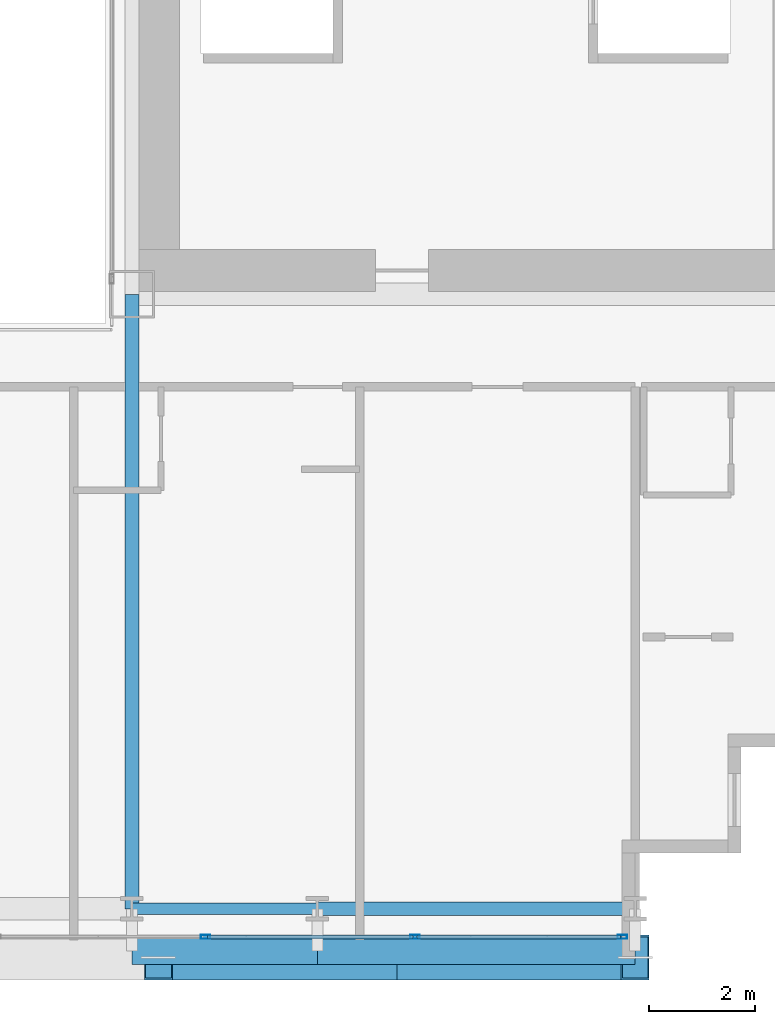
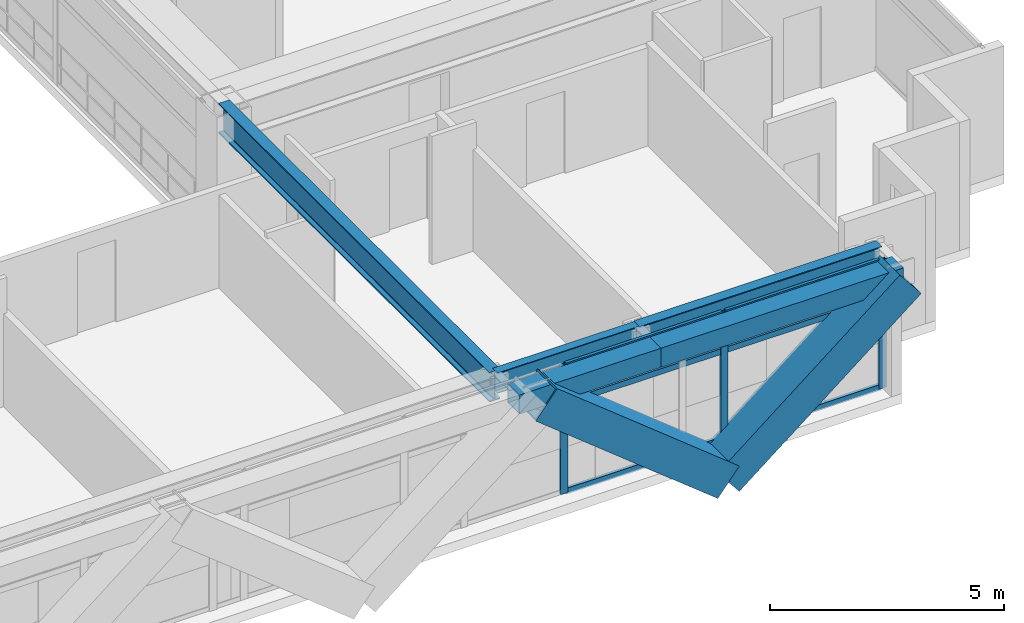
# One storey, part 11 of 41: 11 members, 5 beams, 1 element without a shape of its own.
"""IFC4 building model written with IfcOpenShell, lengths in metres."""

from ifc_helpers import new_model, si_unit, direction, frame, origin, origin_2d, place, context, subcontext, project, spatial, hollow_rectangle, i_section, extrude, source, transform, mapped, material, layer, layer_set, material_profile, profile_set, type_object, element, aggregate, save


model = new_model("IFC4")

# Units and contexts
model_context = context("Model", 3, precision=1e-05, world=origin(), true_north=direction((0.0, 1.0)))
body_context = subcontext(model_context, "Body", "Model", "MODEL_VIEW")
ifc_project = project(units=[si_unit("LENGTHUNIT", "METRE"), si_unit("AREAUNIT", "SQUARE_METRE"), si_unit("VOLUMEUNIT", "CUBIC_METRE"), si_unit("PLANEANGLEUNIT", "RADIAN"), si_unit("MASSUNIT", "GRAM", prefix="KILO")], contexts=[model_context])

# Site, building, storey
site_placement = place(None, origin())
site = spatial("IfcSite", under=ifc_project, at=site_placement, CompositionType="ELEMENT")
building_placement = place(site_placement, origin())
building = spatial("IfcBuilding", under=site, at=building_placement, Name="Ocotamira Hotel", CompositionType="ELEMENT")
storey_placement = place(building_placement, frame((0.0, 0.0, 52.800048828125)))
storey = spatial("IfcBuildingStorey", under=building, at=storey_placement, Name="L12", CompositionType="ELEMENT", Elevation=52.800048828125)

# Beams
ifc_material_1 = material(Name="Steel ASTM A992 Grade 50", Category="steel")
ifc_material_profile_1 = material_profile(ifc_material_1, i_section(OverallWidth=0.256103515625, OverallDepth=0.693115234375, WebThickness=0.014404296875, FlangeThickness=0.023681640625, FilletRadius=0.01611328125, at=origin_2d()), Name="W27X114")
ifc_profile_set_1 = profile_set([ifc_material_profile_1], Name="Steel ASTM A992 Grade 50")
beam_type_1 = type_object("IfcBeamType", Name="BM-PRIM-W27X114", PredefinedType="BEAM", material=ifc_profile_set_1)
shared_shape_1 = source(origin(), body_context, "Body", "SweptSolid", [
    extrude(i_section(OverallWidth=0.256103515625, OverallDepth=0.693115234375, WebThickness=0.014404296875, FlangeThickness=0.023681640625, FilletRadius=0.01611328125, at=origin_2d()), origin(), (0.0, 0.0, 1.0), 6.0),
])
beam_1_placement = place(storey_placement, frame((44.0, 2.949951171875, 3.00341796875), z_axis=(1.0, 0.0, 0.0), x_axis=(0.0, 1.0, 0.0)))
element("IfcBeam", 1, at=beam_1_placement, inside=storey, type_object=beam_type_1, Name="L12 Girder Y2.95 X44-50", PredefinedType="BEAM", context=body_context, shape_type="MappedRepresentation", body=[
    mapped(shared_shape_1, transform((0.0, 0.0, 0.0), scale=1.0)),
])
ifc_material_profile_2 = material_profile(ifc_material_1, i_section(OverallWidth=0.2099609375, OverallDepth=0.537109375, WebThickness=0.010986328125, FlangeThickness=0.017333984375, FilletRadius=0.012939453125, at=origin_2d()), Name="W21X68")
ifc_profile_set_2 = profile_set([ifc_material_profile_2], Name="Steel ASTM A992 Grade 50")
beam_type_2 = type_object("IfcBeamType", Name="BM-SEC-W21X68", PredefinedType="JOIST", material=ifc_profile_set_2)
shared_shape_2 = source(origin(), body_context, "Body", "SweptSolid", [
    extrude(i_section(OverallWidth=0.2099609375, OverallDepth=0.537109375, WebThickness=0.010986328125, FlangeThickness=0.017333984375, FilletRadius=0.012939453125, at=origin_2d()), origin(), (0.0, 0.0, 1.0), 3.5),
])
beam_2_placement = place(storey_placement, frame((40.5, 2.949951171875, 3.08154296875), z_axis=(1.0, 0.0, 0.0), x_axis=(0.0, 1.0, 0.0)))
element("IfcBeam", 2, at=beam_2_placement, inside=storey, type_object=beam_type_2, Name="L12 Girder Y2.95 X40.5-44", PredefinedType="JOIST", context=body_context, shape_type="MappedRepresentation", body=[
    mapped(shared_shape_2, transform((0.0, 0.0, 0.0), scale=1.0)),
])
ifc_material_profile_3 = material_profile(ifc_material_1, i_section(OverallWidth=0.26611328125, OverallDepth=0.779052734375, WebThickness=0.0166015625, FlangeThickness=0.030029296875, FilletRadius=0.01806640625, at=origin_2d()), Name="W30X148")
ifc_profile_set_3 = profile_set([ifc_material_profile_3], Name="Steel ASTM A992 Grade 50")
beam_type_3 = type_object("IfcBeamType", Name="BM-GIRD-W30X148", PredefinedType="BEAM", material=ifc_profile_set_3)
shared_shape_3 = source(origin(), body_context, "Body", "SweptSolid", [
    extrude(i_section(OverallWidth=0.26611328125, OverallDepth=0.779052734375, WebThickness=0.0166015625, FlangeThickness=0.030029296875, FilletRadius=0.01806640625, at=origin_2d()), origin(), (0.0, 0.0, 1.0), 11.60009765625),
])
beam_3_placement = place(storey_placement, frame((40.5, 2.949951171875, 2.96044921875), z_axis=(0.0, 1.0, 0.0), x_axis=(-1.0, 0.0, 0.0)))
element("IfcBeam", 3, at=beam_3_placement, inside=storey, type_object=beam_type_3, Name="L12 Beam X40.5 Y2.95-14.55", PredefinedType="BEAM", context=body_context, shape_type="MappedRepresentation", body=[
    mapped(shared_shape_3, transform((0.0, 0.0, 0.0), scale=1.0)),
])
ifc_material_2 = material(Name="Steel ASTM A500 Grade C", Category="steel")
ifc_material_profile_4 = material_profile(ifc_material_2, hollow_rectangle(XDim=0.5, YDim=0.5, WallThickness=0.02001953125, at=origin_2d()), Name="HSS500X500X20")
ifc_profile_set_4 = profile_set([ifc_material_profile_4], Name="Steel ASTM A500 Grade C")
beam_type_4 = type_object("IfcBeamType", Name="BM-SPAN-HSS500", PredefinedType="USERDEFINED", material=ifc_profile_set_4)
shared_shape_4 = source(origin(), body_context, "Body", "SweptSolid", [
    extrude(hollow_rectangle(XDim=0.5, YDim=0.5, WallThickness=0.02001953125, at=origin_2d()), origin(), (0.0, 0.0, 1.0), 6.0),
])
beam_4_placement = place(storey_placement, frame((44.0, 2.14990234375, 3.099853515625), z_axis=(1.0, 0.0, 0.0), x_axis=(0.0, 1.0, 0.0)))
element("IfcBeam", 4, at=beam_4_placement, inside=storey, type_object=beam_type_4, Name="L12 Edge Spandrel S X44-50", ObjectType="SPANDREL", PredefinedType="USERDEFINED", context=body_context, shape_type="MappedRepresentation", body=[
    mapped(shared_shape_4, transform((0.0, 0.0, 0.0), scale=1.0)),
])
shared_shape_5 = source(origin(), body_context, "Body", "SweptSolid", [
    extrude(hollow_rectangle(XDim=0.5, YDim=0.5, WallThickness=0.02001953125, at=origin_2d()), origin(), (0.0, 0.0, 1.0), 3.5),
])
beam_5_placement = place(storey_placement, frame((40.5, 2.14990234375, 3.099853515625), z_axis=(1.0, 0.0, 0.0), x_axis=(0.0, 1.0, 0.0)))
element("IfcBeam", 5, at=beam_5_placement, inside=storey, type_object=beam_type_4, Name="L12 Edge Spandrel S X40.5-44", ObjectType="SPANDREL", PredefinedType="USERDEFINED", context=body_context, shape_type="MappedRepresentation", body=[
    mapped(shared_shape_5, transform((0.0, 0.0, 0.0), scale=1.0)),
])

# Members
ifc_material_3 = material(Name="Pale-metal coated steel ASTM A913 Grade 65", Category="steel")
ifc_material_profile_5 = material_profile(ifc_material_3, hollow_rectangle(XDim=0.85009765625, YDim=0.85009765625, WallThickness=0.035888671875, at=origin_2d()), Name="BOX850X850X36")
ifc_profile_set_5 = profile_set([ifc_material_profile_5], Name="Pale-metal coated steel ASTM A913 Grade 65")
member_type_1 = type_object("IfcMemberType", Name="MEM-EXO-BOX850", PredefinedType="BRACE", material=ifc_profile_set_5)
shared_shape_6 = source(origin(), body_context, "Body", "SweptSolid", [
    extrude(hollow_rectangle(XDim=0.85009765625, YDim=0.85009765625, WallThickness=0.035888671875, at=origin_2d()), origin(), (0.0, 0.0, 1.0), 5.7626953125),
])
for number, where, z_axis, x_axis, name in (
    (6, (45.5, 2.030029296875, -0.5), (-0.780881208953, 0.0, 0.624679547852), (0.0, -1.0, 0.0), "L12 Exoskeleton Diagrid S3.1"),
    (7, (45.5, 2.030029296875, -0.5), (0.780881208953, 0.0, 0.624679547852), (0.0, 1.0, 0.0), "L12 Exoskeleton Diagrid S3.2"),
):
    element("IfcMember", number, at=place(storey_placement, frame(where, z_axis=z_axis, x_axis=x_axis)), inside=storey, type_object=member_type_1, Name=name, PredefinedType="BRACE", context=body_context, shape_type="MappedRepresentation", body=[
        mapped(shared_shape_6, transform((0.0, 0.0, 0.0), scale=1.0)),
    ])

# Curtain wall, members
ifc_material_4 = material(Name="Anodised pale-metal aluminium and solar glass", Category="aluminium")
ifc_layer = layer(ifc_material_4, 0.179931640625)
ifc_layer_set = layer_set([ifc_layer], Name="Anodised pale-metal aluminium and solar glass")
curtain_wall_type = type_object("IfcCurtainWallType", Name="CW-SYS2-Z1", PredefinedType="NOTDEFINED", material=ifc_layer_set)
curtain_wall_placement = place(storey_placement, origin())
curtain_wall = element("IfcCurtainWall", 8, at=curtain_wall_placement, inside=storey, type_object=curtain_wall_type, Name="L12 Curtain Wall CW-2 CW-L12-S1", PredefinedType="NOTDEFINED")
ifc_material_5 = material(Name="Anodised pale-metal aluminium 6063-T6", Category="aluminium")
ifc_material_profile_6 = material_profile(ifc_material_5, hollow_rectangle(XDim=0.080078125, YDim=0.179931640625, WallThickness=0.006103515625, at=origin_2d()), Name="HSS180X80X6")
ifc_profile_set_6 = profile_set([ifc_material_profile_6], Name="Anodised pale-metal aluminium 6063-T6")
member_type_2 = type_object("IfcMemberType", Name="CWM-180X75", PredefinedType="MULLION", material=ifc_profile_set_6)
shared_shape_7 = source(origin(), body_context, "Body", "SweptSolid", [
    extrude(hollow_rectangle(XDim=0.080078125, YDim=0.179931640625, WallThickness=0.006103515625, at=origin_2d()), origin(), (0.0, 0.0, 1.0), 3.349853515625),
])
member_1_placement = place(storey_placement, frame((41.888916015625, 2.419921875, 0.0), z_axis=(0.0, 0.0, 1.0), x_axis=(0.0, 1.0, 0.0)))
member_1 = element("IfcMember", 9, at=member_1_placement, type_object=member_type_2, Name="CW-2 mullion 8", PredefinedType="MULLION", context=body_context, shape_type="MappedRepresentation", body=[
    mapped(shared_shape_7, transform((0.0, 0.0, 0.0), scale=1.0)),
])
member_2_placement = place(storey_placement, frame((45.844482421875, 2.419921875, 0.0), z_axis=(0.0, 0.0, 1.0), x_axis=(0.0, 1.0, 0.0)))
member_2 = element("IfcMember", 10, at=member_2_placement, type_object=member_type_2, Name="CW-2 mullion 9", PredefinedType="MULLION", context=body_context, shape_type="MappedRepresentation", body=[
    mapped(shared_shape_7, transform((0.0, 0.0, 0.0), scale=1.0)),
])
member_3_placement = place(storey_placement, frame((49.760009765625, 2.419921875, 0.0), z_axis=(0.0, 0.0, 1.0), x_axis=(0.0, 1.0, 0.0)))
member_3 = element("IfcMember", 11, at=member_3_placement, type_object=member_type_2, Name="CW-2 mullion 10", PredefinedType="MULLION", context=body_context, shape_type="MappedRepresentation", body=[
    mapped(shared_shape_7, transform((0.0, 0.0, 0.0), scale=1.0)),
])
ifc_material_profile_7 = material_profile(ifc_material_5, hollow_rectangle(XDim=0.074951171875, YDim=0.14990234375, WallThickness=0.006103515625, at=origin_2d()), Name="HSS150X75X6")
ifc_profile_set_7 = profile_set([ifc_material_profile_7], Name="Anodised pale-metal aluminium 6063-T6")
member_type_3 = type_object("IfcMemberType", Name="CWT-150X75", PredefinedType="USERDEFINED", material=ifc_profile_set_7)
shared_shape_8 = source(origin(), body_context, "Body", "SweptSolid", [
    extrude(hollow_rectangle(XDim=0.074951171875, YDim=0.14990234375, WallThickness=0.006103515625, at=origin_2d()), origin(), (0.0, 0.0, 1.0), 3.83544921875),
])
member_4_placement = place(storey_placement, frame((45.884521484375, 2.419921875, 0.037353515625), z_axis=(1.0, 0.0, 0.0), x_axis=(0.0, 1.0, 0.0)))
member_4 = element("IfcMember", 12, at=member_4_placement, type_object=member_type_3, Name="CW-2 transom 9.1", ObjectType="TRANSOM", PredefinedType="USERDEFINED", context=body_context, shape_type="MappedRepresentation", body=[
    mapped(shared_shape_8, transform((0.0, 0.0, 0.0), scale=1.0)),
])
member_5_placement = place(storey_placement, frame((45.884521484375, 2.419921875, 2.349853515625), z_axis=(1.0, 0.0, 0.0), x_axis=(0.0, 1.0, 0.0)))
member_5 = element("IfcMember", 13, at=member_5_placement, type_object=member_type_3, Name="CW-2 transom 9.2", ObjectType="TRANSOM", PredefinedType="USERDEFINED", context=body_context, shape_type="MappedRepresentation", body=[
    mapped(shared_shape_8, transform((0.0, 0.0, 0.0), scale=1.0)),
])
member_6_placement = place(storey_placement, frame((45.884521484375, 2.419921875, 3.3125), z_axis=(1.0, 0.0, 0.0), x_axis=(0.0, 1.0, 0.0)))
member_6 = element("IfcMember", 14, at=member_6_placement, type_object=member_type_3, Name="CW-2 transom 9.3", ObjectType="TRANSOM", PredefinedType="USERDEFINED", context=body_context, shape_type="MappedRepresentation", body=[
    mapped(shared_shape_8, transform((0.0, 0.0, 0.0), scale=1.0)),
])
shared_shape_9 = source(origin(), body_context, "Body", "SweptSolid", [
    extrude(hollow_rectangle(XDim=0.074951171875, YDim=0.14990234375, WallThickness=0.006103515625, at=origin_2d()), origin(), (0.0, 0.0, 1.0), 3.87548828125),
])
member_7_placement = place(storey_placement, frame((41.928955078125, 2.419921875, 0.037353515625), z_axis=(1.0, 0.0, 0.0), x_axis=(0.0, 1.0, 0.0)))
member_7 = element("IfcMember", 15, at=member_7_placement, type_object=member_type_3, Name="CW-2 transom 8.1", ObjectType="TRANSOM", PredefinedType="USERDEFINED", context=body_context, shape_type="MappedRepresentation", body=[
    mapped(shared_shape_9, transform((0.0, 0.0, 0.0), scale=1.0)),
])
member_8_placement = place(storey_placement, frame((41.928955078125, 2.419921875, 2.349853515625), z_axis=(1.0, 0.0, 0.0), x_axis=(0.0, 1.0, 0.0)))
member_8 = element("IfcMember", 16, at=member_8_placement, type_object=member_type_3, Name="CW-2 transom 8.2", ObjectType="TRANSOM", PredefinedType="USERDEFINED", context=body_context, shape_type="MappedRepresentation", body=[
    mapped(shared_shape_9, transform((0.0, 0.0, 0.0), scale=1.0)),
])
member_9_placement = place(storey_placement, frame((41.928955078125, 2.419921875, 3.3125), z_axis=(1.0, 0.0, 0.0), x_axis=(0.0, 1.0, 0.0)))
member_9 = element("IfcMember", 17, at=member_9_placement, type_object=member_type_3, Name="CW-2 transom 8.3", ObjectType="TRANSOM", PredefinedType="USERDEFINED", context=body_context, shape_type="MappedRepresentation", body=[
    mapped(shared_shape_9, transform((0.0, 0.0, 0.0), scale=1.0)),
])
aggregate(curtain_wall, [member_1, member_2, member_3, member_7, member_8, member_9, member_4, member_5, member_6])

save(model, "model.ifc")
